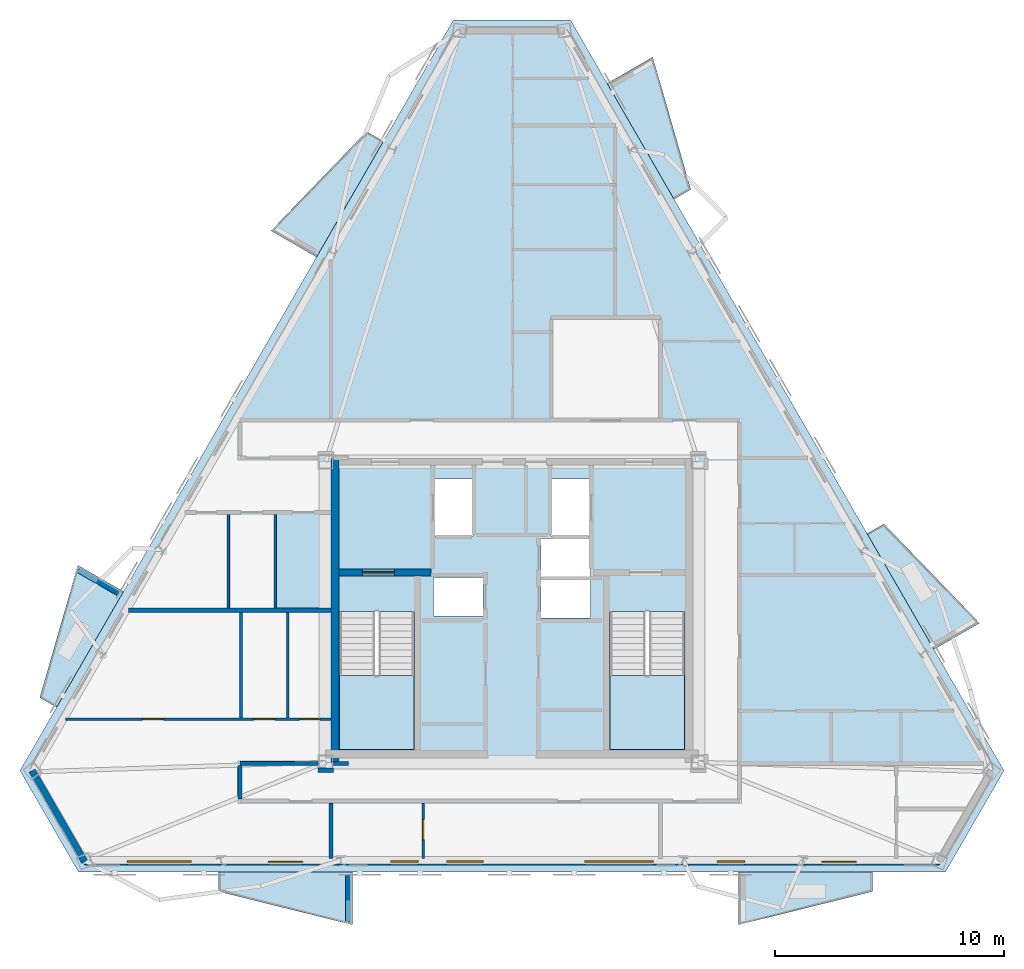
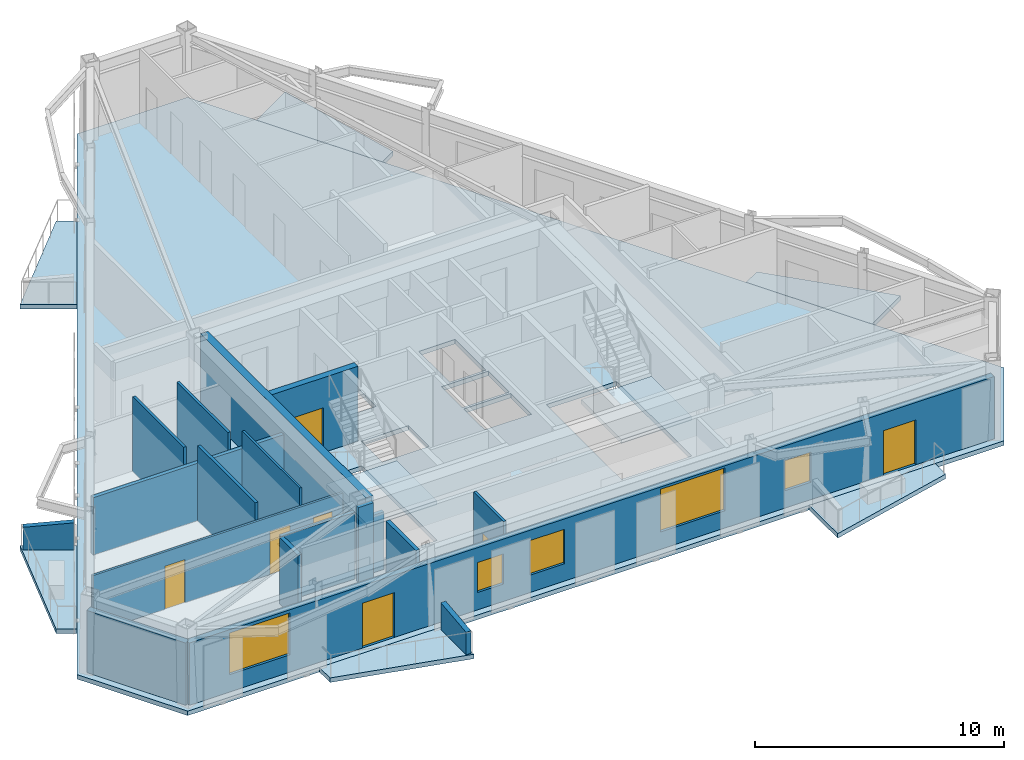
# One storey, part 2 of 9: 18 walls, 9 slabs, 7 doors, 5 windows, 12 openings, 2 elements without a shape of their own.
"""IFC4 building model written with IfcOpenShell, lengths in metres."""

from ifc_helpers import new_model, si_unit, direction, frame, frame_2d, origin, place, context, subcontext, project, spatial, polyline, rectangle, outline, extrude, material, layer, layer_set, type_object, element, fill, aggregate, save


model = new_model("IFC4")

# Units and contexts
model_context = context("Model", 3, precision=1e-05, world=origin(), true_north=direction((0.0, 1.0)))
body_context = subcontext(model_context, "Body", "Model", "MODEL_VIEW")
ifc_project = project(units=[si_unit("LENGTHUNIT", "METRE"), si_unit("AREAUNIT", "SQUARE_METRE"), si_unit("VOLUMEUNIT", "CUBIC_METRE"), si_unit("PLANEANGLEUNIT", "RADIAN"), si_unit("MASSUNIT", "GRAM", prefix="KILO")], contexts=[model_context])

# Site, building, storey
site_placement = place(None, origin())
site = spatial("IfcSite", under=ifc_project, at=site_placement, CompositionType="ELEMENT")
building_placement = place(site_placement, origin())
building = spatial("IfcBuilding", under=site, at=building_placement, Name="Oramaril Tower", CompositionType="ELEMENT")
storey_placement = place(building_placement, frame((0.0, 0.0, 277.199951171875)))
storey = spatial("IfcBuildingStorey", under=building, at=storey_placement, Name="L73", CompositionType="ELEMENT", Elevation=277.199951171875)

# Slabs
ifc_material_1 = material(Name="Concrete C40/50", Category="concrete")
ifc_layer_1 = layer(ifc_material_1, 0.199951171875)
ifc_layer_set_1 = layer_set([ifc_layer_1], Name="SLT-BAL20")
slab_type_1 = type_object("IfcSlabType", Name="SLT-BAL20", PredefinedType="FLOOR", material=ifc_layer_set_1)
slab_1_placement = place(storey_placement, frame((0.0, 0.0, -0.219970703125)))
element("IfcSlab", 1, at=slab_1_placement, inside=storey, type_object=slab_type_1, Name="L73 Cantilevered Balcony Slab L73-BAL-S1", PredefinedType="FLOOR", context=body_context, shape_type="SweptSolid", body=[
    extrude(outline(polyline([(24.664794921875, 6.195068359375), (30.5146484375, 6.195068359375), (30.5146484375, 3.89306640625), (24.664794921875, 5.343017578125), (24.664794921875, 6.195068359375)])), origin(), (0.0, 0.0, 1.0), 0.219970703125),
])
slab_2_placement = place(storey_placement, frame((0.0, 0.0, -0.219970703125)))
element("IfcSlab", 2, at=slab_2_placement, inside=storey, type_object=slab_type_1, Name="L73 Cantilevered Balcony Slab L73-BAL-NE2", PredefinedType="FLOOR", context=body_context, shape_type="SweptSolid", body=[
    extrude(outline(polyline([(44.5869140625, 35.635009765625), (41.661865234375, 40.701171875), (43.655517578125, 41.852294921875), (45.32470703125, 36.06103515625), (44.5869140625, 35.635009765625)])), origin(), (0.0, 0.0, 1.0), 0.219970703125),
])
slab_3_placement = place(storey_placement, frame((0.0, 0.0, -0.219970703125)))
element("IfcSlab", 3, at=slab_3_placement, inside=storey, type_object=slab_type_1, Name="L73 Cantilevered Balcony Slab L73-BAL-NW1", PredefinedType="FLOOR", context=body_context, shape_type="SweptSolid", body=[
    extrude(outline(polyline([(31.87548828125, 38.168212890625), (28.95068359375, 33.101806640625), (26.95703125, 34.252685546875), (31.1376953125, 38.593994140625), (31.87548828125, 38.168212890625)])), origin(), (0.0, 0.0, 1.0), 0.219970703125),
])
ifc_material_2 = material(Name="Concrete C50/60", Category="concrete")
ifc_layer_2 = layer(ifc_material_2, 0.219970703125)
ifc_layer_set_2 = layer_set([ifc_layer_2], Name="SLT-FLR22")
slab_type_2 = type_object("IfcSlabType", Name="SLT-FLR22", PredefinedType="FLOOR", material=ifc_layer_set_2)
slab_4_placement = place(storey_placement, frame((0.0, 0.0, -0.219970703125)))
element("IfcSlab", 4, at=slab_4_placement, inside=storey, type_object=slab_type_2, Name="L73 Structural Floor Slab", PredefinedType="FLOOR", context=body_context, shape_type="SweptSolid", body=[
    extrude(outline(polyline([(15.976318359375, 10.63330078125), (18.539794921875, 6.193115234375), (56.460205078125, 6.193115234375), (59.023681640625, 10.63330078125), (40.063720703125, 43.473388671875), (34.936279296875, 43.473388671875), (15.976318359375, 10.63330078125)]), holes=[polyline([(29.949951171875, 17.58935546875), (29.949951171875, 11.550048828125), (33.219970703125, 11.550048828125), (33.219970703125, 17.58935546875), (29.949951171875, 17.58935546875)]), polyline([(41.780029296875, 17.58935546875), (41.780029296875, 11.550048828125), (45.050048828125, 11.550048828125), (45.050048828125, 17.58935546875), (41.780029296875, 17.58935546875)]), polyline([(34.110107421875, 20.909912109375), (35.7900390625, 20.909912109375), (35.7900390625, 23.389892578125), (34.110107421875, 23.389892578125), (34.110107421875, 20.909912109375)]), polyline([(39.2099609375, 20.909912109375), (40.889892578125, 20.909912109375), (40.889892578125, 23.389892578125), (39.2099609375, 23.389892578125), (39.2099609375, 20.909912109375)]), polyline([(34.06005859375, 17.409912109375), (36.239990234375, 17.409912109375), (36.239990234375, 19.090087890625), (34.06005859375, 19.090087890625), (34.06005859375, 17.409912109375)]), polyline([(38.760009765625, 17.31005859375), (40.93994140625, 17.31005859375), (40.93994140625, 18.989990234375), (38.760009765625, 18.989990234375), (38.760009765625, 17.31005859375)]), polyline([(38.760009765625, 19.110107421875), (40.93994140625, 19.110107421875), (40.93994140625, 20.7900390625), (38.760009765625, 20.7900390625), (38.760009765625, 19.110107421875)])]), origin(), (0.0, 0.0, 1.0), 0.219970703125),
])

# Stair, slab
ifc_material_3 = material(Name="Concrete C50/60", Category="concrete")
stair_type = type_object("IfcStairType", Name="STT-DG-3900", PredefinedType="HALF_TURN_STAIR", material=ifc_material_3)
stair_1_placement = place(storey_placement, origin())
stair_1 = element("IfcStair", 5, at=stair_1_placement, inside=storey, type_object=stair_type, Name="L73 Protected PFP Exit Stair ST-1", PredefinedType="HALF_TURN_STAIR")
ifc_material_4 = material(Name="Concrete C50/60", Category="concrete")
ifc_layer_3 = layer(ifc_material_4, 0.199951171875)
ifc_layer_set_3 = layer_set([ifc_layer_3], Name="SLT-LND20")
slab_type_3 = type_object("IfcSlabType", Name="SLT-LND20", PredefinedType="LANDING", material=ifc_layer_set_3)
slab_5_placement = place(storey_placement, frame((0.0, 0.0, 1.75)))
slab_5 = element("IfcSlab", 6, at=slab_5_placement, type_object=slab_type_3, Name="ST-1 landing 1", PredefinedType="LANDING", context=body_context, shape_type="SweptSolid", body=[
    extrude(outline(polyline([(29.949951171875, 14.7900390625), (29.949951171875, 11.550048828125), (33.219970703125, 11.550048828125), (33.219970703125, 14.7900390625), (29.949951171875, 14.7900390625)])), origin(), (0.0, 0.0, 1.0), 0.199951171875),
])
aggregate(stair_1, [slab_5])

stair_2_placement = place(storey_placement, origin())
stair_2 = element("IfcStair", 7, at=stair_2_placement, inside=storey, type_object=stair_type, Name="L73 Protected PFP Exit Stair ST-2", PredefinedType="HALF_TURN_STAIR")
slab_6_placement = place(storey_placement, frame((0.0, 0.0, 1.75)))
slab_6 = element("IfcSlab", 8, at=slab_6_placement, type_object=slab_type_3, Name="ST-2 landing 1", PredefinedType="LANDING", context=body_context, shape_type="SweptSolid", body=[
    extrude(outline(polyline([(41.780029296875, 14.7900390625), (41.780029296875, 11.550048828125), (45.050048828125, 11.550048828125), (45.050048828125, 14.7900390625), (41.780029296875, 14.7900390625)])), origin(), (0.0, 0.0, 1.0), 0.199951171875),
])
aggregate(stair_2, [slab_6])

# Slabs
ifc_material_5 = material(Name="Concrete C40/50", Category="concrete")
ifc_layer_4 = layer(ifc_material_5, 0.18994140625)
ifc_layer_set_4 = layer_set([ifc_layer_4], Name="SLT-PLN19")
slab_type_4 = type_object("IfcSlabType", Name="SLT-PLN19", PredefinedType="FLOOR", material=ifc_layer_set_4)
slab_7_placement = place(storey_placement, frame((0.0, 0.0, -0.219970703125)))
element("IfcSlab", 9, at=slab_7_placement, inside=storey, type_object=slab_type_4, Name="L73 Tree Planter Balcony Slab L73-BAL-S2", PredefinedType="FLOOR", context=body_context, shape_type="SweptSolid", body=[
    extrude(outline(polyline([(47.410400390625, 6.195068359375), (53.26025390625, 6.195068359375), (53.26025390625, 5.343017578125), (47.410400390625, 3.89306640625), (47.410400390625, 6.195068359375)])), origin(), (0.0, 0.0, 1.0), 0.219970703125),
])
slab_8_placement = place(storey_placement, frame((0.0, 0.0, -0.219970703125)))
element("IfcSlab", 10, at=slab_8_placement, inside=storey, type_object=slab_type_4, Name="L73 Tree Planter Balcony Slab L73-BAL-NE1", PredefinedType="FLOOR", context=body_context, shape_type="SweptSolid", body=[
    extrude(outline(polyline([(55.959716796875, 15.936767578125), (53.03466796875, 21.003173828125), (53.7724609375, 21.42919921875), (57.953125, 17.087890625), (55.959716796875, 15.936767578125)])), origin(), (0.0, 0.0, 1.0), 0.219970703125),
])
slab_9_placement = place(storey_placement, frame((0.0, 0.0, -0.219970703125)))
element("IfcSlab", 11, at=slab_9_placement, inside=storey, type_object=slab_type_4, Name="L73 Tree Planter Balcony Slab L73-BAL-NW2", PredefinedType="FLOOR", context=body_context, shape_type="SweptSolid", body=[
    extrude(outline(polyline([(20.5029296875, 18.469970703125), (17.577880859375, 13.40380859375), (16.840087890625, 13.82958984375), (18.50927734375, 19.620849609375), (20.5029296875, 18.469970703125)])), origin(), (0.0, 0.0, 1.0), 0.219970703125),
])

# Wall
ifc_material_6 = material(Name="Warm Cream Limestone", Category="masonry")
ifc_layer_5 = layer(ifc_material_6, 0.2900390625)
ifc_layer_set_5 = layer_set([ifc_layer_5], Name="WT-EXT29")
wall_type_1 = type_object("IfcWallType", Name="WT-EXT29", PredefinedType="SOLIDWALL", material=ifc_layer_set_5)
wall_1_placement = place(storey_placement, frame((16.50732421875, 10.63330078125, 0.0), z_axis=(0.0, 0.0, 1.0), x_axis=(0.500018268964, -0.866014855936, 0.0)))
element("IfcWall", 12, at=wall_1_placement, inside=storey, type_object=wall_type_1, Name="L73 Tower Limestone Facade Wall 1M", PredefinedType="SOLIDWALL", context=body_context, shape_type="SweptSolid", body=[
    extrude(rectangle(XDim=4.595947265625, YDim=0.2900390625, at=frame_2d((2.2978515625, 0.0))), origin(), (0.0, 0.0, 1.0), 3.05810546875),
])

# Wall, openings, doors, windows
wall_2_placement = place(storey_placement, frame((18.805419921875, 6.653076171875, 0.0), z_axis=(0.0, 0.0, 1.0), x_axis=(1.0, 0.0, 0.0)))
wall_2 = element("IfcWall", 13, at=wall_2_placement, inside=storey, type_object=wall_type_1, Name="L73 Tower Limestone Facade Wall 2M", PredefinedType="SOLIDWALL", context=body_context, shape_type="SweptSolid", body=[
    extrude(rectangle(XDim=37.38916015625, YDim=0.2900390625, at=frame_2d((18.694580078125, 0.0))), origin(), (0.0, 0.0, 1.0), 3.05810546875),
])
opening_1_placement = place(wall_2_placement, frame((8.034423828125, 0.0, 0.0)))
opening_1 = element("IfcOpeningElement", 14, at=opening_1_placement, cuts=wall_2, Name="Opening D-L73-BAL-S1", PredefinedType="OPENING", context=body_context, shape_type="SweptSolid", body=[
    extrude(rectangle(XDim=1.5, YDim=2.199951171875, at=frame_2d((0.75, 1.10009765625))), frame((0.0, 0.14501953125, 0.0), z_axis=(0.0, -1.0, 0.0), x_axis=(1.0, 0.0, 0.0)), (0.0, 0.0, 1.0), 0.2900390625),
])
opening_2_placement = place(wall_2_placement, frame((32.25, 0.0, 0.0)))
opening_2 = element("IfcOpeningElement", 15, at=opening_2_placement, cuts=wall_2, Name="Opening D-L73-BAL-S2", PredefinedType="OPENING", context=body_context, shape_type="SweptSolid", body=[
    extrude(rectangle(XDim=1.5, YDim=2.199951171875, at=frame_2d((0.75, 1.10009765625))), frame((0.0, 0.14501953125, 0.0), z_axis=(0.0, -1.0, 0.0), x_axis=(1.0, 0.0, 0.0)), (0.0, 0.0, 1.0), 0.2900390625),
])
opening_3_placement = place(wall_2_placement, frame((15.831787109375, 0.0, 0.85009765625)))
opening_3 = element("IfcOpeningElement", 16, at=opening_3_placement, cuts=wall_2, Name="Opening WN-07", PredefinedType="OPENING", context=body_context, shape_type="SweptSolid", body=[
    extrude(rectangle(XDim=1.60009765625, YDim=1.699951171875, at=frame_2d((0.800048828125, 0.85009765625))), frame((0.0, 0.14501953125, 0.0), z_axis=(0.0, -1.0, 0.0), x_axis=(1.0, 0.0, 0.0)), (0.0, 0.0, 1.0), 0.2900390625),
])
opening_4_placement = place(wall_2_placement, frame((21.875244140625, 0.0, 0.85009765625)))
opening_4 = element("IfcOpeningElement", 17, at=opening_4_placement, cuts=wall_2, Name="Opening WN-10", PredefinedType="OPENING", context=body_context, shape_type="SweptSolid", body=[
    extrude(rectangle(XDim=3.0, YDim=2.097900390625, at=frame_2d((1.5, 1.048828125))), frame((0.0, 0.14501953125, 0.0), z_axis=(0.0, -1.0, 0.0), x_axis=(1.0, 0.0, 0.0)), (0.0, 0.0, 1.0), 0.2900390625),
])
opening_5_placement = place(wall_2_placement, frame((13.3876953125, 0.0, 0.85009765625)))
opening_5 = element("IfcOpeningElement", 18, at=opening_5_placement, cuts=wall_2, Name="Opening WN-09", PredefinedType="OPENING", context=body_context, shape_type="SweptSolid", body=[
    extrude(rectangle(XDim=1.199951171875, YDim=1.47998046875, at=frame_2d((0.60009765625, 0.739990234375))), frame((0.0, 0.14501953125, 0.0), z_axis=(0.0, -1.0, 0.0), x_axis=(1.0, 0.0, 0.0)), (0.0, 0.0, 1.0), 0.2900390625),
])
opening_6_placement = place(wall_2_placement, frame((27.6728515625, 0.0, 0.85009765625)))
opening_6 = element("IfcOpeningElement", 19, at=opening_6_placement, cuts=wall_2, Name="Opening WN-09", PredefinedType="OPENING", context=body_context, shape_type="SweptSolid", body=[
    extrude(rectangle(XDim=1.199951171875, YDim=1.47998046875, at=frame_2d((0.60009765625, 0.739990234375))), frame((0.0, 0.14501953125, 0.0), z_axis=(0.0, -1.0, 0.0), x_axis=(1.0, 0.0, 0.0)), (0.0, 0.0, 1.0), 0.2900390625),
])
opening_7_placement = place(wall_2_placement, frame((1.869140625, 0.0, 0.85009765625)))
opening_7 = element("IfcOpeningElement", 20, at=opening_7_placement, cuts=wall_2, Name="Opening WN-01", PredefinedType="OPENING", context=body_context, shape_type="SweptSolid", body=[
    extrude(rectangle(XDim=2.800048828125, YDim=2.050048828125, at=frame_2d((1.39990234375, 1.02490234375))), frame((0.0, 0.14501953125, 0.0), z_axis=(0.0, -1.0, 0.0), x_axis=(1.0, 0.0, 0.0)), (0.0, 0.0, 1.0), 0.2900390625),
])
ifc_material_7 = material(Name="Anodised Aluminium 6063-T6", Category="aluminium")
door_type_1 = type_object("IfcDoorType", Name="DT-BAL", OperationType="NOTDEFINED", PredefinedType="DOOR", material=ifc_material_7)
door_1_placement = place(opening_1_placement, origin())
door_1 = element("IfcDoor", 21, at=door_1_placement, inside=storey, type_object=door_type_1, Name="L73 Balcony Glazed Door L73-BAL-S1", OperationType="SINGLE_SWING_RIGHT", OverallHeight=2.199951171875, OverallWidth=1.5, PredefinedType="DOOR", context=body_context, shape_type="SweptSolid", body=[
    extrude(rectangle(XDim=1.5, YDim=2.199951171875, at=frame_2d((0.75, 1.10009765625))), frame((0.0, 0.02490234375, 0.0), z_axis=(0.0, -1.0, 0.0), x_axis=(1.0, 0.0, 0.0)), (0.0, 0.0, 1.0), 0.050048828125),
])
fill(opening_1, door_1)
door_2_placement = place(opening_2_placement, origin())
door_2 = element("IfcDoor", 22, at=door_2_placement, inside=storey, type_object=door_type_1, Name="L73 Balcony Glazed Door L73-BAL-S2", OperationType="SINGLE_SWING_LEFT", OverallHeight=2.199951171875, OverallWidth=1.5, PredefinedType="DOOR", context=body_context, shape_type="SweptSolid", body=[
    extrude(rectangle(XDim=1.5, YDim=2.199951171875, at=frame_2d((0.75, 1.10009765625))), frame((0.0, 0.02490234375, 0.0), z_axis=(0.0, -1.0, 0.0), x_axis=(1.0, 0.0, 0.0)), (0.0, 0.0, 1.0), 0.050048828125),
])
fill(opening_2, door_2)
ifc_material_8 = material(Name="Coastal Low-E Insulated Glass", Category="glass")
window_type_1 = type_object("IfcWindowType", Name="WNT-01", PartitioningType="SINGLE_PANEL", PredefinedType="WINDOW", material=ifc_material_8)
window_1_placement = place(opening_7_placement, origin())
window_1 = element("IfcWindow", 23, at=window_1_placement, inside=storey, type_object=window_type_1, Name="L73 Chicago Bay Window WN-01", OverallHeight=2.050048828125, OverallWidth=2.800048828125, PartitioningType="SINGLE_PANEL", PredefinedType="WINDOW", context=body_context, shape_type="SweptSolid", body=[
    extrude(rectangle(XDim=2.800048828125, YDim=2.050048828125, at=frame_2d((1.39990234375, 1.02490234375))), frame((0.0, 0.030029296875, 0.0), z_axis=(0.0, -1.0, 0.0), x_axis=(1.0, 0.0, 0.0)), (0.0, 0.0, 1.0), 0.06005859375),
])
fill(opening_7, window_1)
ifc_material_9 = material(Name="Coastal Low-E Insulated Glass", Category="glass")
window_type_2 = type_object("IfcWindowType", Name="WNT-07", PartitioningType="SINGLE_PANEL", PredefinedType="WINDOW", material=ifc_material_9)
window_2_placement = place(opening_3_placement, origin())
window_2 = element("IfcWindow", 24, at=window_2_placement, inside=storey, type_object=window_type_2, Name="L73 Chicago Bay Window WN-07", OverallHeight=1.699951171875, OverallWidth=1.60009765625, PartitioningType="SINGLE_PANEL", PredefinedType="WINDOW", context=body_context, shape_type="SweptSolid", body=[
    extrude(rectangle(XDim=1.60009765625, YDim=1.699951171875, at=frame_2d((0.800048828125, 0.85009765625))), frame((0.0, 0.030029296875, 0.0), z_axis=(0.0, -1.0, 0.0), x_axis=(1.0, 0.0, 0.0)), (0.0, 0.0, 1.0), 0.06005859375),
])
fill(opening_3, window_2)
ifc_material_10 = material(Name="Coastal Low-E Insulated Glass", Category="glass")
window_type_3 = type_object("IfcWindowType", Name="WNT-09", PartitioningType="SINGLE_PANEL", PredefinedType="WINDOW", material=ifc_material_10)
window_3_placement = place(opening_5_placement, origin())
window_3 = element("IfcWindow", 25, at=window_3_placement, inside=storey, type_object=window_type_3, Name="L73 Chicago Bay Window WN-09", OverallHeight=1.47998046875, OverallWidth=1.199951171875, PartitioningType="SINGLE_PANEL", PredefinedType="WINDOW", context=body_context, shape_type="SweptSolid", body=[
    extrude(rectangle(XDim=1.199951171875, YDim=1.47998046875, at=frame_2d((0.60009765625, 0.739990234375))), frame((0.0, 0.030029296875, 0.0), z_axis=(0.0, -1.0, 0.0), x_axis=(1.0, 0.0, 0.0)), (0.0, 0.0, 1.0), 0.06005859375),
])
fill(opening_5, window_3)
window_4_placement = place(opening_6_placement, origin())
window_4 = element("IfcWindow", 26, at=window_4_placement, inside=storey, type_object=window_type_3, Name="L73 Chicago Bay Window WN-09", OverallHeight=1.47998046875, OverallWidth=1.199951171875, PartitioningType="SINGLE_PANEL", PredefinedType="WINDOW", context=body_context, shape_type="SweptSolid", body=[
    extrude(rectangle(XDim=1.199951171875, YDim=1.47998046875, at=frame_2d((0.60009765625, 0.739990234375))), frame((0.0, 0.030029296875, 0.0), z_axis=(0.0, -1.0, 0.0), x_axis=(1.0, 0.0, 0.0)), (0.0, 0.0, 1.0), 0.06005859375),
])
fill(opening_6, window_4)
ifc_material_11 = material(Name="Coastal Low-E Insulated Glass", Category="glass")
window_type_4 = type_object("IfcWindowType", Name="WNT-10", PartitioningType="SINGLE_PANEL", PredefinedType="WINDOW", material=ifc_material_11)
window_5_placement = place(opening_4_placement, origin())
window_5 = element("IfcWindow", 27, at=window_5_placement, inside=storey, type_object=window_type_4, Name="L73 Chicago Bay Window WN-10", OverallHeight=2.097900390625, OverallWidth=3.0, PartitioningType="SINGLE_PANEL", PredefinedType="WINDOW", context=body_context, shape_type="SweptSolid", body=[
    extrude(rectangle(XDim=3.0, YDim=2.097900390625, at=frame_2d((1.5, 1.048828125))), frame((0.0, 0.030029296875, 0.0), z_axis=(0.0, -1.0, 0.0), x_axis=(1.0, 0.0, 0.0)), (0.0, 0.0, 1.0), 0.06005859375),
])
fill(opening_4, window_5)

# Walls
ifc_material_12 = material(Name="Concrete C40/50", Category="concrete")
ifc_layer_6 = layer(ifc_material_12, 0.22998046875)
ifc_layer_set_6 = layer_set([ifc_layer_6], Name="WT-PRP23")
wall_type_2 = type_object("IfcWallType", Name="WT-PRP23", PredefinedType="PARAPET", material=ifc_layer_set_6)
for number, where, z_axis, x_axis, name in (
    (28, (30.334716796875, 6.05517578125, 0.0), (0.0, 0.0, 1.0), (0.0, -1.0, 0.0), "L73 Trapezoidal Balcony Frame Cheek L73-BAL-S1-R"),
    (29, (20.291748046875, 18.384033203125, 0.0), (0.0, 0.0, 1.0), (-0.866042246008, 0.499970827278, 0.0), "L73 Trapezoidal Balcony Frame Cheek L73-BAL-NW2-L"),
):
    element("IfcWall", number, at=place(storey_placement, frame(where, z_axis=z_axis, x_axis=x_axis)), inside=storey, type_object=wall_type_2, Name=name, PredefinedType="PARAPET", context=body_context, shape_type="SweptSolid", body=[
        extrude(outline(polyline([(0.0, 0.0), (2.0419921875, 0.0), (2.0419921875, 1.10009765625), (0.0, 1.320068359375), (0.0, 0.0)])), frame((0.0, 0.114990234375, 0.0), z_axis=(0.0, -1.0, 0.0), x_axis=(1.0, 0.0, 0.0)), (0.0, 0.0, 1.0), 0.22998046875),
    ])

# Wall, openings, doors
ifc_material_13 = material(Name="Acoustic Gypsum Board Partition")
ifc_layer_7 = layer(ifc_material_13, 0.10009765625)
ifc_layer_set_7 = layer_set([ifc_layer_7], Name="WT-PT10")
wall_type_3 = type_object("IfcWallType", Name="WT-PT10", PredefinedType="PARTITIONING", material=ifc_layer_set_7)
wall_3_placement = place(storey_placement, frame((17.9765625, 12.8798828125, 0.0), z_axis=(0.0, 0.0, 1.0), x_axis=(1.0, 0.0, 0.0)))
wall_3 = element("IfcWall", 30, at=wall_3_placement, inside=storey, type_object=wall_type_3, Name="L73 Interior Partition PT-10", PredefinedType="PARTITIONING", context=body_context, shape_type="SweptSolid", body=[
    extrude(rectangle(XDim=11.609375, YDim=0.10009765625, at=frame_2d((5.8046875, 0.0))), origin(), (0.0, 0.0, 1.0), 2.820068359375),
])
opening_8_placement = place(wall_3_placement, frame((3.356689453125, 0.0, 0.0)))
opening_8 = element("IfcOpeningElement", 31, at=opening_8_placement, cuts=wall_3, Name="Opening D-L73-04", PredefinedType="OPENING", context=body_context, shape_type="SweptSolid", body=[
    extrude(rectangle(XDim=0.919921875, YDim=2.1201171875, at=frame_2d((0.4599609375, 1.06005859375))), frame((0.0, 0.050048828125, 0.0), z_axis=(0.0, -1.0, 0.0), x_axis=(1.0, 0.0, 0.0)), (0.0, 0.0, 1.0), 0.10009765625),
])
opening_9_placement = place(wall_3_placement, frame((8.21337890625, 0.0, 0.0)))
opening_9 = element("IfcOpeningElement", 32, at=opening_9_placement, cuts=wall_3, Name="Opening D-L73-05", PredefinedType="OPENING", context=body_context, shape_type="SweptSolid", body=[
    extrude(rectangle(XDim=0.949951171875, YDim=2.10009765625, at=frame_2d((0.47509765625, 1.050048828125))), frame((0.0, 0.050048828125, 0.0), z_axis=(0.0, -1.0, 0.0), x_axis=(1.0, 0.0, 0.0)), (0.0, 0.0, 1.0), 0.10009765625),
])
opening_10_placement = place(wall_3_placement, frame((10.2333984375, 0.0, 0.0)))
opening_10 = element("IfcOpeningElement", 33, at=opening_10_placement, cuts=wall_3, Name="Opening D-L73-06", PredefinedType="OPENING", context=body_context, shape_type="SweptSolid", body=[
    extrude(rectangle(XDim=0.8798828125, YDim=2.080078125, at=frame_2d((0.43994140625, 1.0400390625))), frame((0.0, 0.050048828125, 0.0), z_axis=(0.0, -1.0, 0.0), x_axis=(1.0, 0.0, 0.0)), (0.0, 0.0, 1.0), 0.10009765625),
])
ifc_material_14 = material(Name="FSC Brazilian Freijo Hardwood", Category="wood")
door_type_2 = type_object("IfcDoorType", Name="DT-BATH", OperationType="NOTDEFINED", PredefinedType="DOOR", material=ifc_material_14)
door_3_placement = place(opening_10_placement, origin())
door_3 = element("IfcDoor", 34, at=door_3_placement, inside=storey, type_object=door_type_2, Name="L73 Flat L73-U3 Bathroom Door D-L73-06", OperationType="SINGLE_SWING_LEFT", OverallHeight=2.080078125, OverallWidth=0.8798828125, PredefinedType="DOOR", context=body_context, shape_type="SweptSolid", body=[
    extrude(rectangle(XDim=0.8798828125, YDim=2.080078125, at=frame_2d((0.43994140625, 1.0400390625))), frame((0.0, 0.02490234375, 0.0), z_axis=(0.0, -1.0, 0.0), x_axis=(1.0, 0.0, 0.0)), (0.0, 0.0, 1.0), 0.050048828125),
])
fill(opening_10, door_3)
ifc_material_15 = material(Name="FSC Brazilian Freijo Hardwood", Category="wood")
door_type_3 = type_object("IfcDoorType", Name="DT-BED", OperationType="NOTDEFINED", PredefinedType="DOOR", material=ifc_material_15)
door_4_placement = place(opening_8_placement, origin())
door_4 = element("IfcDoor", 35, at=door_4_placement, inside=storey, type_object=door_type_3, Name="L73 Flat L73-U3 Master Bedroom Door D-L73-04", OperationType="SINGLE_SWING_LEFT", OverallHeight=2.1201171875, OverallWidth=0.919921875, PredefinedType="DOOR", context=body_context, shape_type="SweptSolid", body=[
    extrude(rectangle(XDim=0.919921875, YDim=2.1201171875, at=frame_2d((0.4599609375, 1.06005859375))), frame((0.0, 0.02490234375, 0.0), z_axis=(0.0, -1.0, 0.0), x_axis=(1.0, 0.0, 0.0)), (0.0, 0.0, 1.0), 0.050048828125),
])
fill(opening_8, door_4)
ifc_material_16 = material(Name="FSC Brazilian Freijo Hardwood", Category="wood")
door_type_4 = type_object("IfcDoorType", Name="DT-STDY", OperationType="NOTDEFINED", PredefinedType="DOOR", material=ifc_material_16)
door_5_placement = place(opening_9_placement, origin())
door_5 = element("IfcDoor", 36, at=door_5_placement, inside=storey, type_object=door_type_4, Name="L73 Flat L73-U3 Kitchen Door D-L73-05", OperationType="SINGLE_SWING_RIGHT", OverallHeight=2.10009765625, OverallWidth=0.949951171875, PredefinedType="DOOR", context=body_context, shape_type="SweptSolid", body=[
    extrude(rectangle(XDim=0.949951171875, YDim=2.10009765625, at=frame_2d((0.47509765625, 1.050048828125))), frame((0.0, 0.02490234375, 0.0), z_axis=(0.0, -1.0, 0.0), x_axis=(1.0, 0.0, 0.0)), (0.0, 0.0, 1.0), 0.050048828125),
])
fill(opening_9, door_5)

# Walls
wall_4_placement = place(storey_placement, frame((27.68994140625, 12.93408203125, 0.0), z_axis=(0.0, 0.0, 1.0), x_axis=(0.0, 1.0, 0.0)))
element("IfcWall", 37, at=wall_4_placement, inside=storey, type_object=wall_type_3, Name="L73 Interior Partition PT-10", PredefinedType="PARTITIONING", context=body_context, shape_type="SweptSolid", body=[
    extrude(rectangle(XDim=4.621826171875, YDim=0.10009765625, at=frame_2d((2.31103515625, 0.0))), origin(), (0.0, 0.0, 1.0), 3.679931640625),
])
ifc_material_17 = material(Name="Acoustic Gypsum Board Partition")
ifc_layer_8 = layer(ifc_material_17, 0.1201171875)
ifc_layer_set_8 = layer_set([ifc_layer_8], Name="WT-PT12")
wall_type_4 = type_object("IfcWallType", Name="WT-PT12", PredefinedType="PARTITIONING", material=ifc_layer_set_8)
for number, where, z_axis, x_axis, name in (
    (38, (25.090087890625, 17.743896484375, 0.0), (0.0, 0.0, 1.0), (0.0, 1.0, 0.0), "L73 Interior Partition PT-12"),
    (39, (27.139892578125, 17.743896484375, 0.0), (0.0, 0.0, 1.0), (0.0, 1.0, 0.0), "L73 Interior Partition PT-12"),
):
    element("IfcWall", number, at=place(storey_placement, frame(where, z_axis=z_axis, x_axis=x_axis)), inside=storey, type_object=wall_type_4, Name=name, PredefinedType="PARTITIONING", context=body_context, shape_type="SweptSolid", body=[
        extrude(rectangle(XDim=4.10205078125, YDim=0.1201171875, at=frame_2d((2.051025390625, 0.0))), origin(), (0.0, 0.0, 1.0), 3.679931640625),
    ])

# Wall, opening, door
wall_5_placement = place(storey_placement, frame((33.6201171875, 6.802001953125, 0.0), z_axis=(0.0, 0.0, 1.0), x_axis=(0.0, 1.0, 0.0)))
wall_5 = element("IfcWall", 40, at=wall_5_placement, inside=storey, type_object=wall_type_4, Name="L73 Interior Partition PT-12", PredefinedType="PARTITIONING", context=body_context, shape_type="SweptSolid", body=[
    extrude(rectangle(XDim=2.404052734375, YDim=0.1201171875, at=frame_2d((1.2021484375, 0.0))), origin(), (0.0, 0.0, 1.0), 3.679931640625),
])
opening_11_placement = place(wall_5_placement, frame((0.8095703125, 0.0, 0.0)))
opening_11 = element("IfcOpeningElement", 41, at=opening_11_placement, cuts=wall_5, Name="Opening D-L73-20", PredefinedType="OPENING", context=body_context, shape_type="SweptSolid", body=[
    extrude(rectangle(XDim=0.8798828125, YDim=2.080078125, at=frame_2d((0.43994140625, 1.0400390625))), frame((0.0, 0.06005859375, 0.0), z_axis=(0.0, -1.0, 0.0), x_axis=(1.0, 0.0, 0.0)), (0.0, 0.0, 1.0), 0.1201171875),
])
door_6_placement = place(opening_11_placement, origin())
door_6 = element("IfcDoor", 42, at=door_6_placement, inside=storey, type_object=door_type_2, Name="L73 Flat L73-U1 Bathroom Door D-L73-20", OperationType="SINGLE_SWING_LEFT", OverallHeight=2.080078125, OverallWidth=0.8798828125, PredefinedType="DOOR", context=body_context, shape_type="SweptSolid", body=[
    extrude(rectangle(XDim=0.8798828125, YDim=2.080078125, at=frame_2d((0.43994140625, 1.0400390625))), frame((0.0, 0.02490234375, 0.0), z_axis=(0.0, -1.0, 0.0), x_axis=(1.0, 0.0, 0.0)), (0.0, 0.0, 1.0), 0.050048828125),
])
fill(opening_11, door_6)

# Walls
ifc_material_18 = material(Name="Acoustic Gypsum Board Partition")
ifc_layer_9 = layer(ifc_material_18, 0.139892578125)
ifc_layer_set_9 = layer_set([ifc_layer_9], Name="WT-PT14")
wall_type_5 = type_object("IfcWallType", Name="WT-PT14", PredefinedType="PARTITIONING", material=ifc_layer_set_9)
wall_6_placement = place(storey_placement, frame((25.639892578125, 12.93408203125, 0.0), z_axis=(0.0, 0.0, 1.0), x_axis=(0.0, 1.0, 0.0)))
element("IfcWall", 43, at=wall_6_placement, inside=storey, type_object=wall_type_5, Name="L73 Interior Partition PT-14", PredefinedType="PARTITIONING", context=body_context, shape_type="SweptSolid", body=[
    extrude(rectangle(XDim=4.621826171875, YDim=0.139892578125, at=frame_2d((2.31103515625, 0.0))), origin(), (0.0, 0.0, 1.0), 3.679931640625),
])
ifc_material_19 = material(Name="Autoclaved Cellular Concrete Block", Category="concrete")
ifc_layer_10 = layer(ifc_material_19, 0.179931640625)
ifc_layer_set_10 = layer_set([ifc_layer_10], Name="WT-PT18")
wall_type_6 = type_object("IfcWallType", Name="WT-PT18", PredefinedType="PARTITIONING", material=ifc_layer_set_10)
wall_7_placement = place(storey_placement, frame((29.0048828125, 10.64990234375, 0.0), z_axis=(0.0, 0.0, 1.0), x_axis=(1.0, 0.0, 0.0)))
element("IfcWall", 44, at=wall_7_placement, inside=storey, type_object=wall_type_6, Name="L73 Interior Partition PT-18", PredefinedType="PARTITIONING", context=body_context, shape_type="SweptSolid", body=[
    extrude(rectangle(XDim=0.690185546875, YDim=0.179931640625, at=frame_2d((0.34521484375, 0.0))), origin(), (0.0, 0.0, 1.0), 3.679931640625),
])
wall_8_placement = place(storey_placement, frame((25.60009765625, 10.949951171875, 0.0), z_axis=(0.0, 0.0, 1.0), x_axis=(1.0, 0.0, 0.0)))
element("IfcWall", 45, at=wall_8_placement, inside=storey, type_object=wall_type_6, Name="L73 Interior Partition PT-18", PredefinedType="PARTITIONING", context=body_context, shape_type="SweptSolid", body=[
    extrude(rectangle(XDim=3.409912109375, YDim=0.179931640625, at=frame_2d((1.705078125, 0.0))), origin(), (0.0, 0.0, 1.0), 3.26611328125),
])
wall_9_placement = place(storey_placement, frame((29.68994140625, 10.949951171875, 0.0), z_axis=(0.0, 0.0, 1.0), x_axis=(1.0, 0.0, 0.0)))
element("IfcWall", 46, at=wall_9_placement, inside=storey, type_object=wall_type_6, Name="L73 Interior Partition PT-18", PredefinedType="PARTITIONING", context=body_context, shape_type="SweptSolid", body=[
    extrude(rectangle(XDim=0.6650390625, YDim=0.179931640625, at=frame_2d((0.33251953125, 0.0))), origin(), (0.0, 0.0, 1.0), 2.820068359375),
])
wall_10_placement = place(storey_placement, frame((20.73046875, 17.64990234375, 0.0), z_axis=(0.0, 0.0, 1.0), x_axis=(1.0, 0.0, 0.0)))
element("IfcWall", 47, at=wall_10_placement, inside=storey, type_object=wall_type_6, Name="L73 Interior Partition PT-18", PredefinedType="PARTITIONING", context=body_context, shape_type="SweptSolid", body=[
    extrude(rectangle(XDim=8.85546875, YDim=0.179931640625, at=frame_2d((4.427734375, 0.0))), origin(), (0.0, 0.0, 1.0), 2.820068359375),
])
wall_11_placement = place(storey_placement, frame((25.60009765625, 9.39404296875, 0.0), z_axis=(0.0, 0.0, 1.0), x_axis=(0.0, 1.0, 0.0)))
element("IfcWall", 48, at=wall_11_placement, inside=storey, type_object=wall_type_6, Name="L73 Interior Partition PT-18", PredefinedType="PARTITIONING", context=body_context, shape_type="SweptSolid", body=[
    extrude(rectangle(XDim=1.4619140625, YDim=0.179931640625, at=frame_2d((0.73095703125, 0.0))), origin(), (0.0, 0.0, 1.0), 3.26611328125),
])
wall_12_placement = place(storey_placement, frame((29.580078125, 6.802001953125, 0.0), z_axis=(0.0, 0.0, 1.0), x_axis=(0.0, 1.0, 0.0)))
element("IfcWall", 49, at=wall_12_placement, inside=storey, type_object=wall_type_6, Name="L73 Interior Partition PT-18", PredefinedType="PARTITIONING", context=body_context, shape_type="SweptSolid", body=[
    extrude(rectangle(XDim=2.404052734375, YDim=0.179931640625, at=frame_2d((1.2021484375, 0.0))), origin(), (0.0, 0.0, 1.0), 3.679931640625),
])

# Wall, opening, door
ifc_material_20 = material(Name="Concrete C50/60", Category="concrete")
ifc_layer_11 = layer(ifc_material_20, 0.300048828125)
ifc_layer_set_11 = layer_set([ifc_layer_11], Name="WT-SH30")
wall_type_7 = type_object("IfcWallType", Name="WT-SH30", PredefinedType="SHEAR", material=ifc_layer_set_11)
wall_13_placement = place(storey_placement, frame((29.93994140625, 19.31005859375, 0.0), z_axis=(0.0, 0.0, 1.0), x_axis=(1.0, 0.0, 0.0)))
wall_13 = element("IfcWall", 50, at=wall_13_placement, inside=storey, type_object=wall_type_7, Name="L73 Core Shear Wall CW-ST1N", PredefinedType="SHEAR", context=body_context, shape_type="SweptSolid", body=[
    extrude(rectangle(XDim=4.010009765625, YDim=0.300048828125, at=frame_2d((2.0048828125, 0.0))), origin(), (0.0, 0.0, 1.0), 3.679931640625),
])
opening_12_placement = place(wall_13_placement, frame((1.010009765625, 0.0, 0.0)))
opening_12 = element("IfcOpeningElement", 51, at=opening_12_placement, cuts=wall_13, Name="Opening D-L73-ST1", PredefinedType="OPENING", context=body_context, shape_type="SweptSolid", body=[
    extrude(rectangle(XDim=1.39990234375, YDim=2.199951171875, at=frame_2d((0.699951171875, 1.10009765625))), frame((0.0, 0.14990234375, 0.0), z_axis=(0.0, -1.0, 0.0), x_axis=(1.0, 0.0, 0.0)), (0.0, 0.0, 1.0), 0.300048828125),
])
ifc_material_21 = material(Name="Painted Galvanised Steel", Category="steel")
door_type_5 = type_object("IfcDoorType", Name="DT-ST", OperationType="NOTDEFINED", PredefinedType="DOOR", material=ifc_material_21)
door_7_placement = place(opening_12_placement, origin())
door_7 = element("IfcDoor", 52, at=door_7_placement, inside=storey, type_object=door_type_5, Name="L73 Protected Stair ST-1 Fire Door", OperationType="SINGLE_SWING_LEFT", OverallHeight=2.199951171875, OverallWidth=1.39990234375, PredefinedType="DOOR", context=body_context, shape_type="SweptSolid", body=[
    extrude(rectangle(XDim=1.39990234375, YDim=2.199951171875, at=frame_2d((0.699951171875, 1.10009765625))), frame((0.0, 0.02490234375, 0.0), z_axis=(0.0, -1.0, 0.0), x_axis=(1.0, 0.0, 0.0)), (0.0, 0.0, 1.0), 0.050048828125),
])
fill(opening_12, door_7)

# Wall
ifc_material_22 = material(Name="Concrete C50/60", Category="concrete")
ifc_layer_12 = layer(ifc_material_22, 0.35009765625)
ifc_layer_set_12 = layer_set([ifc_layer_12], Name="WT-SH35")
wall_type_8 = type_object("IfcWallType", Name="WT-SH35", PredefinedType="SHEAR", material=ifc_layer_set_12)
wall_14_placement = place(storey_placement, frame((29.764892578125, 11.0, 0.0), z_axis=(0.0, 0.0, 1.0), x_axis=(0.0, 1.0, 0.0)))
element("IfcWall", 53, at=wall_14_placement, inside=storey, type_object=wall_type_8, Name="L73 Core Shear Wall CW-W", PredefinedType="SHEAR", context=body_context, shape_type="SweptSolid", body=[
    extrude(rectangle(XDim=13.300048828125, YDim=0.35009765625, at=frame_2d((6.64990234375, 0.0))), origin(), (0.0, 0.0, 1.0), 3.679931640625),
])

save(model, "model.ifc")
